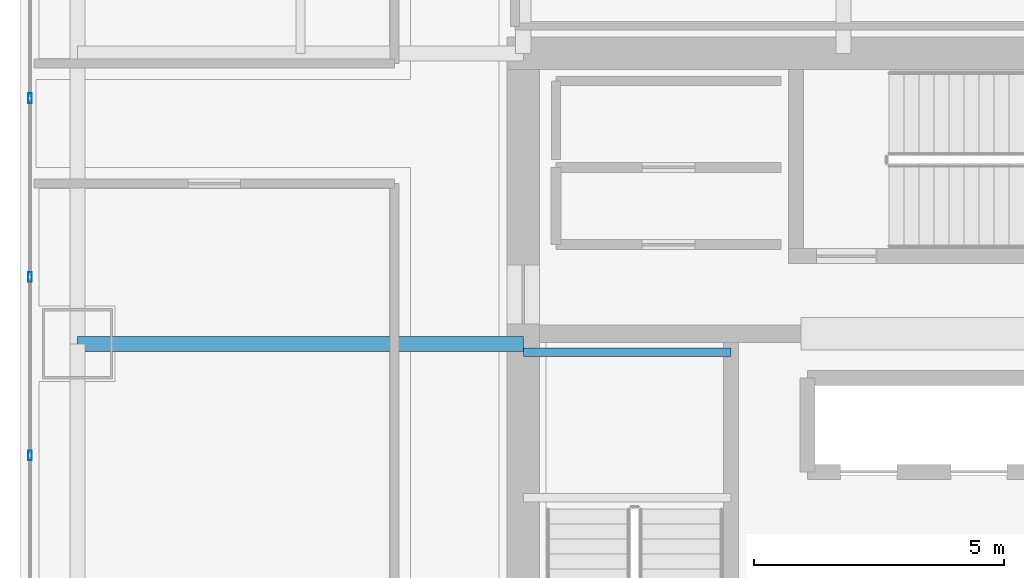
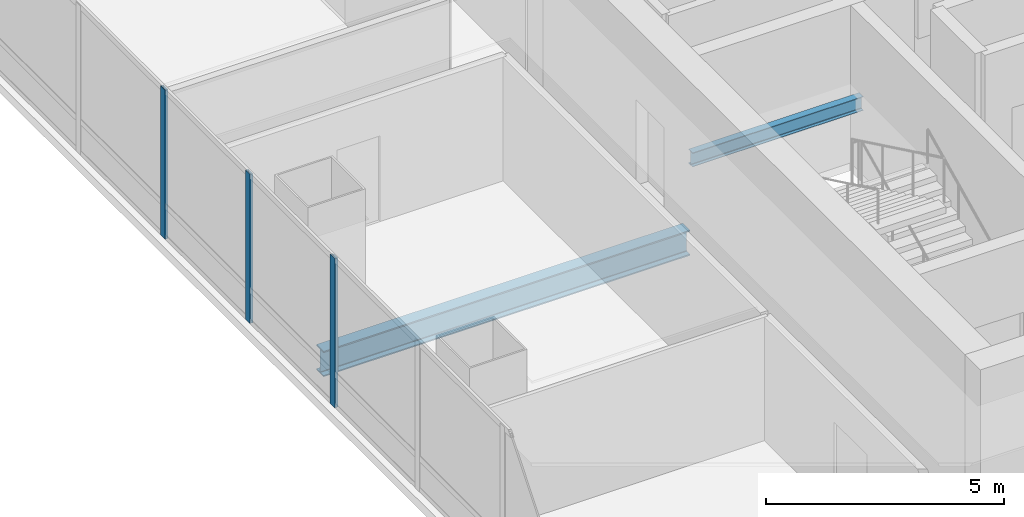
# One storey, part 11 of 36: 3 members, 2 beams, 1 element without a shape of its own.
"""IFC4 building model written with IfcOpenShell, lengths in metres."""

from ifc_helpers import new_model, si_unit, direction, frame, origin, origin_2d, place, context, subcontext, project, spatial, hollow_rectangle, i_section, extrude, material, material_profile, profile_set, type_object, element, aggregate, save


model = new_model("IFC4")

# Units and contexts
model_context = context("Model", 3, precision=1e-05, world=origin(), true_north=direction((0.0, 1.0)))
body_context = subcontext(model_context, "Body", "Model", "MODEL_VIEW")
ifc_project = project(units=[si_unit("LENGTHUNIT", "METRE"), si_unit("AREAUNIT", "SQUARE_METRE"), si_unit("VOLUMEUNIT", "CUBIC_METRE"), si_unit("PLANEANGLEUNIT", "RADIAN"), si_unit("MASSUNIT", "GRAM", prefix="KILO")], contexts=[model_context])

# Site, building, storey
site_placement = place(None, origin())
site = spatial("IfcSite", under=ifc_project, at=site_placement, CompositionType="ELEMENT")
building_placement = place(site_placement, origin())
building = spatial("IfcBuilding", under=site, at=building_placement, Name="Punatoya Terracotta Tower", CompositionType="ELEMENT")
storey_placement = place(building_placement, frame((0.0, 0.0, 208.64990234375)))
storey = spatial("IfcBuildingStorey", under=building, at=storey_placement, Name="L49", CompositionType="ELEMENT", Elevation=208.64990234375)

# Beams
ifc_material_1 = material(Name="Steel S355", Category="steel")
ifc_material_profile_1 = material_profile(ifc_material_1, i_section(OverallWidth=0.300048828125, OverallDepth=0.64990234375, WebThickness=0.01611328125, FlangeThickness=0.031005859375, FilletRadius=0.01806640625, at=origin_2d()))
ifc_profile_set_1 = profile_set([ifc_material_profile_1], Name="Steel S355")
beam_type_1 = type_object("IfcBeamType", Name="BM-PRI-650", PredefinedType="BEAM", material=ifc_profile_set_1)
beam_1_placement = place(storey_placement, frame((-19.10009765625, 3.39990234375, -0.544921875), z_axis=(1.0, 0.0, 0.0), x_axis=(0.0, 1.0, 0.0)))
element("IfcBeam", 1, at=beam_1_placement, inside=storey, type_object=beam_type_1, Name="BM-L49-PR-WE", PredefinedType="BEAM", context=body_context, shape_type="SweptSolid", body=[
    extrude(i_section(OverallWidth=0.300048828125, OverallDepth=0.64990234375, WebThickness=0.01611328125, FlangeThickness=0.031005859375, FilletRadius=0.01806640625, at=origin_2d()), origin(), (0.0, 0.0, 1.0), 8.900146484375),
])
ifc_material_profile_2 = material_profile(ifc_material_1, i_section(OverallWidth=0.169921875, OverallDepth=0.360107421875, WebThickness=0.008056640625, FlangeThickness=0.0126953125, FilletRadius=0.01806640625, at=origin_2d()))
ifc_profile_set_2 = profile_set([ifc_material_profile_2], Name="Steel S355")
beam_type_2 = type_object("IfcBeamType", Name="BM-SEC-360", PredefinedType="JOIST", material=ifc_profile_set_2)
beam_2_placement = place(storey_placement, frame((-10.199951171875, 3.22998046875, 1.64501953125), z_axis=(1.0, 0.0, 0.0), x_axis=(0.0, 1.0, 0.0)))
element("IfcBeam", 2, at=beam_2_placement, inside=storey, type_object=beam_type_2, Name="BM-L49-ST-1-LD1B", PredefinedType="JOIST", context=body_context, shape_type="SweptSolid", body=[
    extrude(i_section(OverallWidth=0.169921875, OverallDepth=0.360107421875, WebThickness=0.008056640625, FlangeThickness=0.0126953125, FilletRadius=0.01806640625, at=origin_2d()), origin(), (0.0, 0.0, 1.0), 4.14990234375),
])

# Curtain wall, members
ifc_material_2 = material(Name="Aluminium 6063-T6 + Double Low-E Glass", Category="aluminium")
curtain_wall_type = type_object("IfcCurtainWallType", Name="CW-M2", PredefinedType="NOTDEFINED", material=ifc_material_2)
curtain_wall_placement = place(storey_placement, origin())
curtain_wall = element("IfcCurtainWall", 3, at=curtain_wall_placement, inside=storey, type_object=curtain_wall_type, Name="L49 Curtain Wall CW-L49-W13-1", PredefinedType="NOTDEFINED")
ifc_material_3 = material(Name="Aluminium 6063-T6", Category="aluminium")
ifc_material_profile_3 = material_profile(ifc_material_3, hollow_rectangle(XDim=0.072021484375, YDim=0.195068359375, WallThickness=0.00439453125, at=origin_2d()))
ifc_profile_set_3 = profile_set([ifc_material_profile_3], Name="Aluminium 6063-T6")
member_type = type_object("IfcMemberType", Name="CW-MUL-M2", PredefinedType="MULLION", material=ifc_profile_set_3)
member_1_placement = place(storey_placement, frame((-20.050048828125, 8.302001953125, 0.0), z_axis=(0.0, 0.0, 1.0), x_axis=(1.0, 0.0, 0.0)))
member_1 = element("IfcMember", 4, at=member_1_placement, type_object=member_type, Name="CW-L49-W13-1 Mullion 02", PredefinedType="MULLION", context=body_context, shape_type="SweptSolid", body=[
    extrude(hollow_rectangle(XDim=0.072021484375, YDim=0.195068359375, WallThickness=0.00439453125, at=origin_2d()), origin(), (0.0, 0.0, 1.0), 3.830078125),
])
member_2_placement = place(storey_placement, frame((-20.050048828125, 4.73486328125, 0.0), z_axis=(0.0, 0.0, 1.0), x_axis=(1.0, 0.0, 0.0)))
member_2 = element("IfcMember", 5, at=member_2_placement, type_object=member_type, Name="CW-L49-W13-1 Mullion 03", PredefinedType="MULLION", context=body_context, shape_type="SweptSolid", body=[
    extrude(hollow_rectangle(XDim=0.072021484375, YDim=0.195068359375, WallThickness=0.00439453125, at=origin_2d()), origin(), (0.0, 0.0, 1.0), 3.830078125),
])
member_3_placement = place(storey_placement, frame((-20.050048828125, 1.16748046875, 0.0), z_axis=(0.0, 0.0, 1.0), x_axis=(1.0, 0.0, 0.0)))
member_3 = element("IfcMember", 6, at=member_3_placement, type_object=member_type, Name="CW-L49-W13-1 Mullion 04", PredefinedType="MULLION", context=body_context, shape_type="SweptSolid", body=[
    extrude(hollow_rectangle(XDim=0.072021484375, YDim=0.195068359375, WallThickness=0.00439453125, at=origin_2d()), origin(), (0.0, 0.0, 1.0), 3.830078125),
])
aggregate(curtain_wall, [member_1, member_2, member_3])

save(model, "model.ifc")
